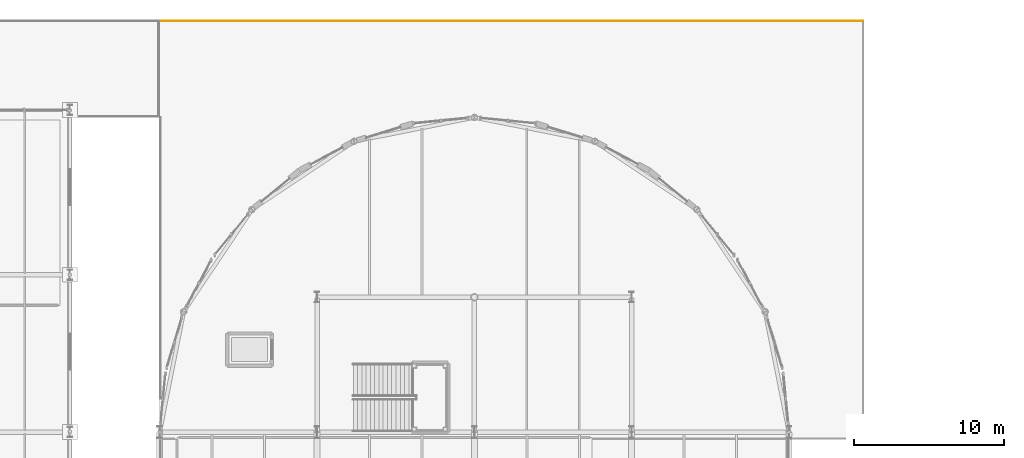
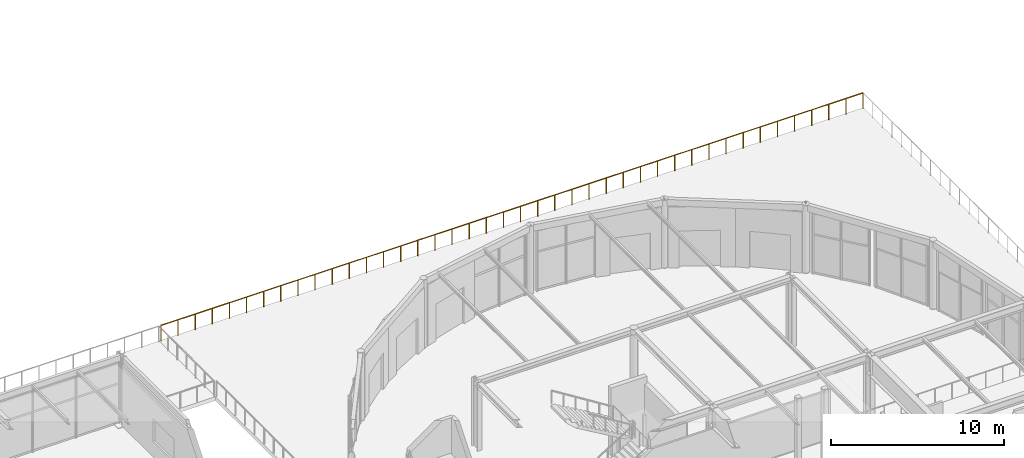
# One storey, part 142 of 143: 1 railing.
"""IFC4 building model written with IfcOpenShell, lengths in metres."""

from ifc_helpers import new_model, si_unit, direction, frame, origin, origin_2d, place, context, subcontext, project, spatial, circle, extrude, material, type_object, element, save


model = new_model("IFC4")

# Units and contexts
model_context = context("Model", 3, precision=1e-05, world=origin(), true_north=direction((0.0, 1.0)))
body_context = subcontext(model_context, "Body", "Model", "MODEL_VIEW")
ifc_project = project(units=[si_unit("LENGTHUNIT", "METRE"), si_unit("AREAUNIT", "SQUARE_METRE"), si_unit("VOLUMEUNIT", "CUBIC_METRE"), si_unit("PLANEANGLEUNIT", "RADIAN"), si_unit("MASSUNIT", "GRAM", prefix="KILO")], contexts=[model_context])

# Site, building, storey
site_placement = place(None, origin())
site = spatial("IfcSite", under=ifc_project, at=site_placement, CompositionType="ELEMENT")
building_placement = place(site_placement, origin())
building = spatial("IfcBuilding", under=site, at=building_placement, Name="Marlcrest Central Station", CompositionType="ELEMENT")
storey_placement = place(building_placement, frame((0.0, 0.0, 4.800048828125)))
storey = spatial("IfcBuildingStorey", under=building, at=storey_placement, Name="L01", CompositionType="ELEMENT", Elevation=4.800048828125)

# Railing
ifc_material = material(Name="Stainless steel and laminated glass concourse balustrade", Category="steel")
railing_type = type_object("IfcRailingType", Name="GR-02", PredefinedType="BALUSTRADE", material=ifc_material)
railing_placement = place(storey_placement, frame((87.080078125, 137.93994140625, 0.0)))
element("IfcRailing", 1, at=railing_placement, inside=storey, type_object=railing_type, Name="hr-L01-00370", PredefinedType="BALUSTRADE", context=body_context, shape_type="SweptSolid", body=[
    extrude(circle(Radius=0.02392578125, at=origin_2d()), frame((0.0, 0.0, 1.09619140625), z_axis=(1.0, 0.0, 0.0), x_axis=(0.0, 1.0, 0.0)), (0.0, 0.0, 1.0), 46.85986328125),
    extrude(circle(Radius=0.02099609375, at=origin_2d()), origin(), (0.0, 0.0, 1.0), 1.072021484375),
    extrude(circle(Radius=0.02099609375, at=origin_2d()), frame((1.142822265625, 0.0, 0.0)), (0.0, 0.0, 1.0), 1.072021484375),
    extrude(circle(Radius=0.02099609375, at=origin_2d()), frame((2.285888671875, 0.0, 0.0)), (0.0, 0.0, 1.0), 1.072021484375),
    extrude(circle(Radius=0.02099609375, at=origin_2d()), frame((3.4287109375, 0.0, 0.0)), (0.0, 0.0, 1.0), 1.072021484375),
    extrude(circle(Radius=0.02099609375, at=origin_2d()), frame((4.57177734375, 0.0, 0.0)), (0.0, 0.0, 1.0), 1.072021484375),
    extrude(circle(Radius=0.02099609375, at=origin_2d()), frame((5.714599609375, 0.0, 0.0)), (0.0, 0.0, 1.0), 1.072021484375),
    extrude(circle(Radius=0.02099609375, at=origin_2d()), frame((6.857421875, 0.0, 0.0)), (0.0, 0.0, 1.0), 1.072021484375),
    extrude(circle(Radius=0.02099609375, at=origin_2d()), frame((8.00048828125, 0.0, 0.0)), (0.0, 0.0, 1.0), 1.072021484375),
    extrude(circle(Radius=0.02099609375, at=origin_2d()), frame((9.143310546875, 0.0, 0.0)), (0.0, 0.0, 1.0), 1.072021484375),
    extrude(circle(Radius=0.02099609375, at=origin_2d()), frame((10.286376953125, 0.0, 0.0)), (0.0, 0.0, 1.0), 1.072021484375),
    extrude(circle(Radius=0.02099609375, at=origin_2d()), frame((11.42919921875, 0.0, 0.0)), (0.0, 0.0, 1.0), 1.072021484375),
    extrude(circle(Radius=0.02099609375, at=origin_2d()), frame((12.572265625, 0.0, 0.0)), (0.0, 0.0, 1.0), 1.072021484375),
    extrude(circle(Radius=0.02099609375, at=origin_2d()), frame((13.715087890625, 0.0, 0.0)), (0.0, 0.0, 1.0), 1.072021484375),
    extrude(circle(Radius=0.02099609375, at=origin_2d()), frame((14.85791015625, 0.0, 0.0)), (0.0, 0.0, 1.0), 1.072021484375),
    extrude(circle(Radius=0.02099609375, at=origin_2d()), frame((16.0009765625, 0.0, 0.0)), (0.0, 0.0, 1.0), 1.072021484375),
    extrude(circle(Radius=0.02099609375, at=origin_2d()), frame((17.143798828125, 0.0, 0.0)), (0.0, 0.0, 1.0), 1.072021484375),
    extrude(circle(Radius=0.02099609375, at=origin_2d()), frame((18.286865234375, 0.0, 0.0)), (0.0, 0.0, 1.0), 1.072021484375),
    extrude(circle(Radius=0.02099609375, at=origin_2d()), frame((19.4296875, 0.0, 0.0)), (0.0, 0.0, 1.0), 1.072021484375),
    extrude(circle(Radius=0.02099609375, at=origin_2d()), frame((20.572509765625, 0.0, 0.0)), (0.0, 0.0, 1.0), 1.072021484375),
    extrude(circle(Radius=0.02099609375, at=origin_2d()), frame((21.715576171875, 0.0, 0.0)), (0.0, 0.0, 1.0), 1.072021484375),
    extrude(circle(Radius=0.02099609375, at=origin_2d()), frame((22.8583984375, 0.0, 0.0)), (0.0, 0.0, 1.0), 1.072021484375),
    extrude(circle(Radius=0.02099609375, at=origin_2d()), frame((24.00146484375, 0.0, 0.0)), (0.0, 0.0, 1.0), 1.072021484375),
    extrude(circle(Radius=0.02099609375, at=origin_2d()), frame((25.144287109375, 0.0, 0.0)), (0.0, 0.0, 1.0), 1.072021484375),
    extrude(circle(Radius=0.02099609375, at=origin_2d()), frame((26.287353515625, 0.0, 0.0)), (0.0, 0.0, 1.0), 1.072021484375),
    extrude(circle(Radius=0.02099609375, at=origin_2d()), frame((27.43017578125, 0.0, 0.0)), (0.0, 0.0, 1.0), 1.072021484375),
    extrude(circle(Radius=0.02099609375, at=origin_2d()), frame((28.572998046875, 0.0, 0.0)), (0.0, 0.0, 1.0), 1.072021484375),
    extrude(circle(Radius=0.02099609375, at=origin_2d()), frame((29.716064453125, 0.0, 0.0)), (0.0, 0.0, 1.0), 1.072021484375),
    extrude(circle(Radius=0.02099609375, at=origin_2d()), frame((30.85888671875, 0.0, 0.0)), (0.0, 0.0, 1.0), 1.072021484375),
    extrude(circle(Radius=0.02099609375, at=origin_2d()), frame((32.001953125, 0.0, 0.0)), (0.0, 0.0, 1.0), 1.072021484375),
    extrude(circle(Radius=0.02099609375, at=origin_2d()), frame((33.144775390625, 0.0, 0.0)), (0.0, 0.0, 1.0), 1.072021484375),
    extrude(circle(Radius=0.02099609375, at=origin_2d()), frame((34.28759765625, 0.0, 0.0)), (0.0, 0.0, 1.0), 1.072021484375),
    extrude(circle(Radius=0.02099609375, at=origin_2d()), frame((35.4306640625, 0.0, 0.0)), (0.0, 0.0, 1.0), 1.072021484375),
    extrude(circle(Radius=0.02099609375, at=origin_2d()), frame((36.573486328125, 0.0, 0.0)), (0.0, 0.0, 1.0), 1.072021484375),
    extrude(circle(Radius=0.02099609375, at=origin_2d()), frame((37.716552734375, 0.0, 0.0)), (0.0, 0.0, 1.0), 1.072021484375),
    extrude(circle(Radius=0.02099609375, at=origin_2d()), frame((38.859375, 0.0, 0.0)), (0.0, 0.0, 1.0), 1.072021484375),
    extrude(circle(Radius=0.02099609375, at=origin_2d()), frame((40.00244140625, 0.0, 0.0)), (0.0, 0.0, 1.0), 1.072021484375),
    extrude(circle(Radius=0.02099609375, at=origin_2d()), frame((41.145263671875, 0.0, 0.0)), (0.0, 0.0, 1.0), 1.072021484375),
    extrude(circle(Radius=0.02099609375, at=origin_2d()), frame((42.2880859375, 0.0, 0.0)), (0.0, 0.0, 1.0), 1.072021484375),
    extrude(circle(Radius=0.02099609375, at=origin_2d()), frame((43.43115234375, 0.0, 0.0)), (0.0, 0.0, 1.0), 1.072021484375),
    extrude(circle(Radius=0.02099609375, at=origin_2d()), frame((44.573974609375, 0.0, 0.0)), (0.0, 0.0, 1.0), 1.072021484375),
    extrude(circle(Radius=0.02099609375, at=origin_2d()), frame((45.717041015625, 0.0, 0.0)), (0.0, 0.0, 1.0), 1.072021484375),
    extrude(circle(Radius=0.02099609375, at=origin_2d()), frame((46.85986328125, 0.0, 0.0)), (0.0, 0.0, 1.0), 1.072021484375),
])

save(model, "model.ifc")
